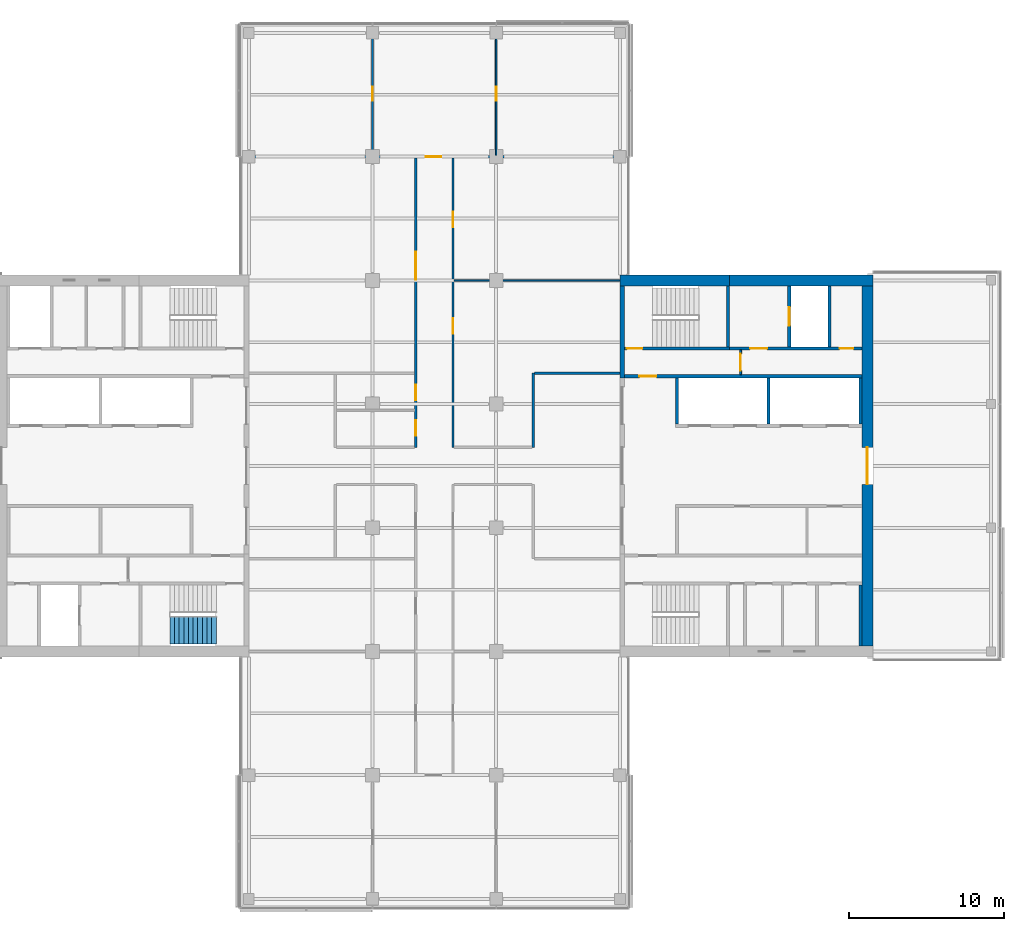
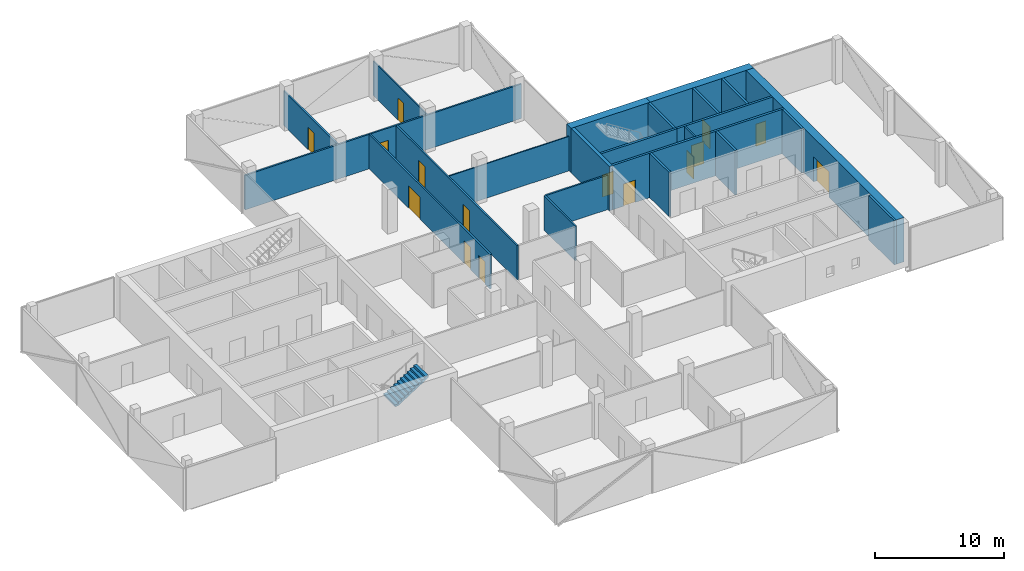
# One storey, part 16 of 22: 23 walls, 15 doors, 1 stair flight, 15 openings, 1 element without a shape of its own.
"""IFC4 building model written with IfcOpenShell, lengths in metres."""

from ifc_helpers import new_model, si_unit, direction, frame, frame_2d, origin, place, context, subcontext, project, spatial, polyline, rectangle, outline, extrude, material, layer, layer_set, constituent, constituent_set, type_object, element, fill, aggregate, save


model = new_model("IFC4")

# Units and contexts
model_context = context("Model", 3, precision=1e-05, world=origin(), true_north=direction((0.0, 1.0)))
body_context = subcontext(model_context, "Body", "Model", "MODEL_VIEW")
ifc_project = project(units=[si_unit("LENGTHUNIT", "METRE"), si_unit("AREAUNIT", "SQUARE_METRE"), si_unit("VOLUMEUNIT", "CUBIC_METRE"), si_unit("PLANEANGLEUNIT", "RADIAN"), si_unit("MASSUNIT", "GRAM", prefix="KILO")], contexts=[model_context])

# Site, building, storey
site_placement = place(None, origin())
site = spatial("IfcSite", under=ifc_project, at=site_placement, CompositionType="ELEMENT")
building_placement = place(site_placement, origin())
building = spatial("IfcBuilding", under=site, at=building_placement, Name="Crosswind Convention Tower", CompositionType="ELEMENT")
storey_placement = place(building_placement, frame((0.0, 0.0, 167.300048828125)))
storey = spatial("IfcBuildingStorey", under=building, at=storey_placement, Name="L35", CompositionType="ELEMENT", Elevation=167.300048828125)

# Wall, opening, door
ifc_material_1 = material(Name="Concrete C60/75", Category="concrete")
ifc_layer_1 = layer(ifc_material_1, 0.699951171875)
ifc_layer_set_1 = layer_set([ifc_layer_1], Name="Concrete C60/75")
wall_type_1 = type_object("IfcWallType", Name="Concrete core wall 700", PredefinedType="SHEAR", material=ifc_layer_set_1)
wall_1_placement = place(storey_placement, frame((153.0, 88.35009765625, 0.0), z_axis=(0.0, 0.0, 1.0), x_axis=(0.0, 1.0, 0.0)))
wall_1 = element("IfcWall", 1, at=wall_1_placement, inside=storey, type_object=wall_type_1, Name="Wall O E L35", PredefinedType="SHEAR", context=body_context, shape_type="SweptSolid", body=[
    extrude(rectangle(XDim=23.2998046875, YDim=0.699951171875, at=frame_2d((11.64990234375, 0.0))), origin(), (0.0, 0.0, 1.0), 4.199951171875),
])
opening_1_placement = place(wall_1_placement, frame((10.449951171875, 0.0, 0.0)))
opening_1 = element("IfcOpeningElement", 2, at=opening_1_placement, cuts=wall_1, Name="Opening D100", PredefinedType="OPENING", context=body_context, shape_type="SweptSolid", body=[
    extrude(rectangle(XDim=2.39990234375, YDim=2.39990234375, at=frame_2d((1.199951171875, 1.199951171875))), frame((0.0, 0.35986328125, 0.0), z_axis=(0.0, -1.0, 0.0), x_axis=(1.0, 0.0, 0.0)), (0.0, 0.0, 1.0), 0.719970703125),
])
ifc_material_2 = material(Name="Steel fire door with glazed vision panels", Category="steel")
door_type_1 = type_object("IfcDoorType", Name="Fire-rated double door 2400x2400", OperationType="DOUBLE_DOOR_SINGLE_SWING", PredefinedType="DOOR", material=ifc_material_2)
door_1_placement = place(opening_1_placement, frame((2.39990234375, 0.0, 0.0), z_axis=(0.0, 0.0, 1.0), x_axis=(-1.0, 0.0, 0.0)))
door_1 = element("IfcDoor", 3, at=door_1_placement, inside=storey, type_object=door_type_1, Name="Lobby outer door L35", ObjectType="D100", OperationType="DOUBLE_DOOR_SINGLE_SWING", OverallHeight=2.39990234375, OverallWidth=2.39990234375, PredefinedType="DOOR", context=body_context, shape_type="SweptSolid", body=[
    extrude(rectangle(XDim=2.39990234375, YDim=2.39990234375, at=frame_2d((1.199951171875, 1.199951171875))), frame((0.0, 0.02490234375, 0.0), z_axis=(0.0, -1.0, 0.0), x_axis=(1.0, 0.0, 0.0)), (0.0, 0.0, 1.0), 0.050048828125),
])
fill(opening_1, door_1)

# Walls
ifc_material_3 = material(Name="Concrete C50/60", Category="concrete")
ifc_layer_2 = layer(ifc_material_3, 0.300048828125)
ifc_layer_set_2 = layer_set([ifc_layer_2], Name="Concrete C50/60")
wall_type_2 = type_object("IfcWallType", Name="Concrete inner core wall 300", PredefinedType="SHEAR", material=ifc_layer_set_2)
wall_2_placement = place(storey_placement, frame((137.14990234375, 105.699951171875, 0.0), z_axis=(0.0, 0.0, 1.0), x_axis=(0.0, 1.0, 0.0)))
element("IfcWall", 4, at=wall_2_placement, inside=storey, type_object=wall_type_2, Name="Wall EP E L35", PredefinedType="SHEAR", context=body_context, shape_type="SweptSolid", body=[
    extrude(rectangle(XDim=5.949951171875, YDim=0.300048828125, at=frame_2d((2.97509765625, 0.0))), origin(), (0.0, 0.0, 1.0), 4.199951171875),
])
ifc_layer_3 = layer(ifc_material_3, 0.199951171875)
ifc_layer_set_3 = layer_set([ifc_layer_3], Name="Concrete C50/60")
wall_type_3 = type_object("IfcWallType", Name="Concrete shaft and stair wall 200", PredefinedType="SHEAR", material=ifc_layer_set_3)
for number, where, z_axis, x_axis, name in (
    (5, (140.699951171875, 102.699951171875, 0.0), (0.0, 0.0, 1.0), (0.0, 1.0, 0.0), "Wall RPEND E L35"),
    (6, (146.60009765625, 102.699951171875, 0.0), (0.0, 0.0, 1.0), (0.0, 1.0, 0.0), "Wall RPSEP E L35"),
    (7, (152.550048828125, 102.699951171875, 0.0), (0.0, 0.0, 1.0), (0.0, 1.0, 0.0), "Wall RPEAST E L35"),
):
    element("IfcWall", number, at=place(storey_placement, frame(where, z_axis=z_axis, x_axis=x_axis)), inside=storey, type_object=wall_type_3, Name=name, PredefinedType="SHEAR", context=body_context, shape_type="SweptSolid", body=[
        extrude(rectangle(XDim=3.0, YDim=0.199951171875, at=frame_2d((1.5, 0.0))), origin(), (0.0, 0.0, 1.0), 4.199951171875),
    ])

# Wall, opening, door
wall_3_placement = place(storey_placement, frame((137.300048828125, 105.800048828125, 0.0), z_axis=(0.0, 0.0, 1.0), x_axis=(1.0, 0.0, 0.0)))
wall_3 = element("IfcWall", 8, at=wall_3_placement, inside=storey, type_object=wall_type_3, Name="Wall HP E L35", PredefinedType="SHEAR", context=body_context, shape_type="SweptSolid", body=[
    extrude(rectangle(XDim=15.349853515625, YDim=0.199951171875, at=frame_2d((7.6748046875, 0.0))), origin(), (0.0, 0.0, 1.0), 4.199951171875),
])
opening_2_placement = place(wall_3_placement, frame((0.949951171875, 0.0, 0.0)))
opening_2 = element("IfcOpeningElement", 9, at=opening_2_placement, cuts=wall_3, Name="Opening D104", PredefinedType="OPENING", context=body_context, shape_type="SweptSolid", body=[
    extrude(rectangle(XDim=1.10009765625, YDim=2.10009765625, at=frame_2d((0.550048828125, 1.050048828125))), frame((0.0, 0.10986328125, 0.0), z_axis=(0.0, -1.0, 0.0), x_axis=(1.0, 0.0, 0.0)), (0.0, 0.0, 1.0), 0.219970703125),
])
ifc_material_4 = material(Name="Steel fire door", Category="steel")
door_type_2 = type_object("IfcDoorType", Name="Fire-rated single door 1100x2100", OperationType="NOTDEFINED", PredefinedType="DOOR", material=ifc_material_4)
door_2_placement = place(opening_2_placement, origin())
door_2 = element("IfcDoor", 10, at=door_2_placement, inside=storey, type_object=door_type_2, Name="Corridor door L35", ObjectType="D104", OperationType="SINGLE_SWING_LEFT", OverallHeight=2.10009765625, OverallWidth=1.10009765625, PredefinedType="DOOR", context=body_context, shape_type="SweptSolid", body=[
    extrude(rectangle(XDim=1.10009765625, YDim=2.10009765625, at=frame_2d((0.550048828125, 1.050048828125))), frame((0.0, 0.02490234375, 0.0), z_axis=(0.0, -1.0, 0.0), x_axis=(1.0, 0.0, 0.0)), (0.0, 0.0, 1.0), 0.050048828125),
])
fill(opening_2, door_2)

# Wall
wall_4_placement = place(storey_placement, frame((144.0, 107.699951171875, 0.0), z_axis=(0.0, 0.0, 1.0), x_axis=(0.0, 1.0, 0.0)))
element("IfcWall", 11, at=wall_4_placement, inside=storey, type_object=wall_type_3, Name="Wall PSE E L35", PredefinedType="SHEAR", context=body_context, shape_type="SweptSolid", body=[
    extrude(rectangle(XDim=3.949951171875, YDim=0.199951171875, at=frame_2d((1.97509765625, 0.0))), origin(), (0.0, 0.0, 1.0), 4.199951171875),
])

# Wall, opening, door
wall_5_placement = place(storey_placement, frame((147.949951171875, 107.699951171875, 0.0), z_axis=(0.0, 0.0, 1.0), x_axis=(0.0, 1.0, 0.0)))
wall_5 = element("IfcWall", 12, at=wall_5_placement, inside=storey, type_object=wall_type_3, Name="Wall PFLW E L35", PredefinedType="SHEAR", context=body_context, shape_type="SweptSolid", body=[
    extrude(rectangle(XDim=3.949951171875, YDim=0.199951171875, at=frame_2d((1.97509765625, 0.0))), origin(), (0.0, 0.0, 1.0), 4.199951171875),
])
opening_3_placement = place(wall_5_placement, frame((1.375, 0.0, 0.0)))
opening_3 = element("IfcOpeningElement", 13, at=opening_3_placement, cuts=wall_5, Name="Opening LD1", PredefinedType="OPENING", context=body_context, shape_type="SweptSolid", body=[
    extrude(rectangle(XDim=1.199951171875, YDim=2.10009765625, at=frame_2d((0.60009765625, 1.050048828125))), frame((0.0, 0.10986328125, 0.0), z_axis=(0.0, -1.0, 0.0), x_axis=(1.0, 0.0, 0.0)), (0.0, 0.0, 1.0), 0.219970703125),
])
ifc_material_5 = material(Name="Stainless steel", Category="steel")
door_type_3 = type_object("IfcDoorType", Name="Lift landing door 1200x2100", OperationType="DOUBLE_DOOR_SLIDING", PredefinedType="DOOR", material=ifc_material_5)
door_3_placement = place(opening_3_placement, origin())
door_3 = element("IfcDoor", 14, at=door_3_placement, inside=storey, type_object=door_type_3, Name="Landing door FF1 L35", ObjectType="LD1", OperationType="DOUBLE_DOOR_SLIDING", OverallHeight=2.10009765625, OverallWidth=1.199951171875, PredefinedType="DOOR", context=body_context, shape_type="SweptSolid", body=[
    extrude(rectangle(XDim=1.199951171875, YDim=2.10009765625, at=frame_2d((0.60009765625, 1.050048828125))), frame((0.0, 0.02490234375, 0.0), z_axis=(0.0, -1.0, 0.0), x_axis=(1.0, 0.0, 0.0)), (0.0, 0.0, 1.0), 0.050048828125),
])
fill(opening_3, door_3)

# Wall
wall_6_placement = place(storey_placement, frame((150.550048828125, 107.699951171875, 0.0), z_axis=(0.0, 0.0, 1.0), x_axis=(0.0, 1.0, 0.0)))
element("IfcWall", 15, at=wall_6_placement, inside=storey, type_object=wall_type_3, Name="Wall PFSE E L35", PredefinedType="SHEAR", context=body_context, shape_type="SweptSolid", body=[
    extrude(rectangle(XDim=3.949951171875, YDim=0.199951171875, at=frame_2d((1.97509765625, 0.0))), origin(), (0.0, 0.0, 1.0), 4.199951171875),
])

# Wall, opening, door
wall_7_placement = place(storey_placement, frame((137.300048828125, 107.60009765625, 0.0), z_axis=(0.0, 0.0, 1.0), x_axis=(1.0, 0.0, 0.0)))
wall_7 = element("IfcWall", 16, at=wall_7_placement, inside=storey, type_object=wall_type_3, Name="Wall PCW E L35", PredefinedType="SHEAR", context=body_context, shape_type="SweptSolid", body=[
    extrude(rectangle(XDim=6.800048828125, YDim=0.199951171875, at=frame_2d((3.39990234375, 0.0))), origin(), (0.0, 0.0, 1.0), 4.199951171875),
])
opening_4_placement = place(wall_7_placement, frame((0.14990234375, 0.0, 0.0)))
opening_4 = element("IfcOpeningElement", 17, at=opening_4_placement, cuts=wall_7, Name="Opening D103", PredefinedType="OPENING", context=body_context, shape_type="SweptSolid", body=[
    extrude(rectangle(XDim=1.0, YDim=2.10009765625, at=frame_2d((0.5, 1.050048828125))), frame((0.0, 0.10986328125, 0.0), z_axis=(0.0, -1.0, 0.0), x_axis=(1.0, 0.0, 0.0)), (0.0, 0.0, 1.0), 0.219970703125),
])
door_type_4 = type_object("IfcDoorType", Name="Fire-rated single door 1000x2100", OperationType="NOTDEFINED", PredefinedType="DOOR", material=ifc_material_4)
door_4_placement = place(opening_4_placement, origin())
door_4 = element("IfcDoor", 18, at=door_4_placement, inside=storey, type_object=door_type_4, Name="Stair ST1 door L35", ObjectType="D103", OperationType="SINGLE_SWING_LEFT", OverallHeight=2.10009765625, OverallWidth=1.0, PredefinedType="DOOR", context=body_context, shape_type="SweptSolid", body=[
    extrude(rectangle(XDim=1.0, YDim=2.10009765625, at=frame_2d((0.5, 1.050048828125))), frame((0.0, 0.02490234375, 0.0), z_axis=(0.0, -1.0, 0.0), x_axis=(1.0, 0.0, 0.0)), (0.0, 0.0, 1.0), 0.050048828125),
])
fill(opening_4, door_4)

# Wall, openings, doors
wall_8_placement = place(storey_placement, frame((144.10009765625, 107.60009765625, 0.0), z_axis=(0.0, 0.0, 1.0), x_axis=(1.0, 0.0, 0.0)))
wall_8 = element("IfcWall", 19, at=wall_8_placement, inside=storey, type_object=wall_type_3, Name="Wall PCX E L35", PredefinedType="SHEAR", context=body_context, shape_type="SweptSolid", body=[
    extrude(rectangle(XDim=8.5498046875, YDim=0.199951171875, at=frame_2d((4.27490234375, 0.0))), origin(), (0.0, 0.0, 1.0), 4.199951171875),
])
opening_5_placement = place(wall_8_placement, frame((1.324951171875, 0.0, 0.0)))
opening_5 = element("IfcOpeningElement", 20, at=opening_5_placement, cuts=wall_8, Name="Opening D104", PredefinedType="OPENING", context=body_context, shape_type="SweptSolid", body=[
    extrude(rectangle(XDim=1.10009765625, YDim=2.10009765625, at=frame_2d((0.550048828125, 1.050048828125))), frame((0.0, 0.10986328125, 0.0), z_axis=(0.0, -1.0, 0.0), x_axis=(1.0, 0.0, 0.0)), (0.0, 0.0, 1.0), 0.219970703125),
])
opening_6_placement = place(wall_8_placement, frame((7.10009765625, 0.0, 0.0)))
opening_6 = element("IfcOpeningElement", 21, at=opening_6_placement, cuts=wall_8, Name="Opening D106", PredefinedType="OPENING", context=body_context, shape_type="SweptSolid", body=[
    extrude(rectangle(XDim=0.89990234375, YDim=2.10009765625, at=frame_2d((0.449951171875, 1.050048828125))), frame((0.0, 0.10986328125, 0.0), z_axis=(0.0, -1.0, 0.0), x_axis=(1.0, 0.0, 0.0)), (0.0, 0.0, 1.0), 0.219970703125),
])
door_5_placement = place(opening_5_placement, origin())
door_5 = element("IfcDoor", 22, at=door_5_placement, inside=storey, type_object=door_type_2, Name="Fire-fighting lobby FF1 door L35", ObjectType="D104", OperationType="SINGLE_SWING_RIGHT", OverallHeight=2.10009765625, OverallWidth=1.10009765625, PredefinedType="DOOR", context=body_context, shape_type="SweptSolid", body=[
    extrude(rectangle(XDim=1.10009765625, YDim=2.10009765625, at=frame_2d((0.550048828125, 1.050048828125))), frame((0.0, 0.02490234375, 0.0), z_axis=(0.0, -1.0, 0.0), x_axis=(1.0, 0.0, 0.0)), (0.0, 0.0, 1.0), 0.050048828125),
])
fill(opening_5, door_5)
ifc_material_6 = material(Name="Timber door", Category="wood")
door_type_5 = type_object("IfcDoorType", Name="Single leaf door 900x2100", OperationType="NOTDEFINED", PredefinedType="DOOR", material=ifc_material_6)
door_6_placement = place(opening_6_placement, origin())
door_6 = element("IfcDoor", 23, at=door_6_placement, inside=storey, type_object=door_type_5, Name="Door to electrical room L35", ObjectType="D106", OperationType="SINGLE_SWING_RIGHT", OverallHeight=2.10009765625, OverallWidth=0.89990234375, PredefinedType="DOOR", context=body_context, shape_type="SweptSolid", body=[
    extrude(rectangle(XDim=0.89990234375, YDim=2.10009765625, at=frame_2d((0.449951171875, 1.050048828125))), frame((0.0, 0.02490234375, 0.0), z_axis=(0.0, -1.0, 0.0), x_axis=(1.0, 0.0, 0.0)), (0.0, 0.0, 1.0), 0.050048828125),
])
fill(opening_6, door_6)

# Wall
wall_9_placement = place(storey_placement, frame((152.550048828125, 88.35009765625, 0.0), z_axis=(0.0, 0.0, 1.0), x_axis=(0.0, 1.0, 0.0)))
element("IfcWall", 24, at=wall_9_placement, inside=storey, type_object=wall_type_3, Name="Wall MFSE E L35", PredefinedType="SHEAR", context=body_context, shape_type="SweptSolid", body=[
    extrude(rectangle(XDim=3.949951171875, YDim=0.199951171875, at=frame_2d((1.97509765625, 0.0))), origin(), (0.0, 0.0, 1.0), 4.199951171875),
])

# Wall, opening, door
ifc_material_7 = material(Name="Gypsum plasterboard partition", Category="gypsum")
ifc_layer_4 = layer(ifc_material_7, 0.125)
ifc_layer_set_4 = layer_set([ifc_layer_4], Name="Drywall partition wall 125")
wall_type_4 = type_object("IfcWallType", Name="Drywall partition wall 125", PredefinedType="PARTITIONING", material=ifc_layer_set_4)
wall_10_placement = place(storey_placement, frame((144.800048828125, 105.89990234375, 0.0), z_axis=(0.0, 0.0, 1.0), x_axis=(0.0, 1.0, 0.0)))
wall_10 = element("IfcWall", 25, at=wall_10_placement, inside=storey, type_object=wall_type_4, Name="Wall PXC1 E L35", PredefinedType="PARTITIONING", context=body_context, shape_type="SweptSolid", body=[
    extrude(rectangle(XDim=1.60009765625, YDim=0.125, at=frame_2d((0.800048828125, 0.0))), origin(), (0.0, 0.0, 1.0), 4.199951171875),
])
opening_7_placement = place(wall_10_placement, frame((0.25, 0.0, 0.0)))
opening_7 = element("IfcOpeningElement", 26, at=opening_7_placement, cuts=wall_10, Name="Opening D104", PredefinedType="OPENING", context=body_context, shape_type="SweptSolid", body=[
    extrude(rectangle(XDim=1.10009765625, YDim=2.10009765625, at=frame_2d((0.550048828125, 1.050048828125))), frame((0.0, 0.072509765625, 0.0), z_axis=(0.0, -1.0, 0.0), x_axis=(1.0, 0.0, 0.0)), (0.0, 0.0, 1.0), 0.14501953125),
])
door_7_placement = place(opening_7_placement, origin())
door_7 = element("IfcDoor", 27, at=door_7_placement, inside=storey, type_object=door_type_2, Name="Corridor smoke door L35", ObjectType="D104", OperationType="SINGLE_SWING_RIGHT", OverallHeight=2.10009765625, OverallWidth=1.10009765625, PredefinedType="DOOR", context=body_context, shape_type="SweptSolid", body=[
    extrude(rectangle(XDim=1.10009765625, YDim=2.10009765625, at=frame_2d((0.550048828125, 1.050048828125))), frame((0.0, 0.02490234375, 0.0), z_axis=(0.0, -1.0, 0.0), x_axis=(1.0, 0.0, 0.0)), (0.0, 0.0, 1.0), 0.050048828125),
])
fill(opening_7, door_7)

ifc_material_8 = material(Name="Plasterboard partition", Category="gypsum")
ifc_layer_5 = layer(ifc_material_8, 0.10009765625)
ifc_layer_set_5 = layer_set([ifc_layer_5], Name="PARTITION 100 METAL STUD")
wall_type_5 = type_object("IfcWallType", Name="PARTITION 100 METAL STUD", PredefinedType="PARTITIONING", material=ifc_layer_set_5)
wall_11_placement = place(storey_placement, frame((129.0, 120.074951171875, 0.0), z_axis=(0.0, 0.0, 1.0), x_axis=(0.0, 1.0, 0.0)))
wall_11 = element("IfcWall", 28, at=wall_11_placement, inside=storey, type_object=wall_type_5, Name="Partition wall WT40", PredefinedType="PARTITIONING", context=body_context, shape_type="SweptSolid", body=[
    extrude(rectangle(XDim=8.295166015625, YDim=0.10009765625, at=frame_2d((4.1474609375, 0.0))), origin(), (0.0, 0.0, 1.0), 3.260498046875),
])
opening_8_placement = place(wall_11_placement, frame((3.550048828125, 0.0, 0.0)))
opening_8 = element("IfcOpeningElement", 29, at=opening_8_placement, cuts=wall_11, Name="Opening L35-62", PredefinedType="OPENING", context=body_context, shape_type="SweptSolid", body=[
    extrude(rectangle(XDim=0.89990234375, YDim=2.10009765625, at=frame_2d((0.449951171875, 1.050048828125))), frame((0.0, 0.06005859375, 0.0), z_axis=(0.0, -1.0, 0.0), x_axis=(1.0, 0.0, 0.0)), (0.0, 0.0, 1.0), 0.1201171875),
])
door_type_6 = type_object("IfcDoorType", Name="INTERNAL DOOR 900X2100", OperationType="NOTDEFINED", PredefinedType="DOOR", material=ifc_material_6)
door_8_placement = place(opening_8_placement, origin())
door_8 = element("IfcDoor", 30, at=door_8_placement, inside=storey, type_object=door_type_6, Name="Door L35-62", ObjectType="D40", OperationType="SINGLE_SWING_RIGHT", OverallHeight=2.10009765625, OverallWidth=0.89990234375, PredefinedType="DOOR", context=body_context, shape_type="SweptSolid", body=[
    extrude(rectangle(XDim=0.89990234375, YDim=2.10009765625, at=frame_2d((0.449951171875, 1.050048828125))), frame((0.0, 0.02490234375, 0.0), z_axis=(0.0, -1.0, 0.0), x_axis=(1.0, 0.0, 0.0)), (0.0, 0.0, 1.0), 0.050048828125),
])
fill(opening_8, door_8)

# Wall
wall_12_placement = place(storey_placement, frame((126.27490234375, 112.0, 0.0), z_axis=(0.0, 0.0, 1.0), x_axis=(1.0, 0.0, 0.0)))
element("IfcWall", 31, at=wall_12_placement, inside=storey, type_object=wall_type_5, Name="Partition wall WT40", PredefinedType="PARTITIONING", context=body_context, shape_type="SweptSolid", body=[
    extrude(rectangle(XDim=10.72509765625, YDim=0.10009765625, at=frame_2d((5.362548828125, 0.0))), origin(), (0.0, 0.0, 1.0), 3.260498046875),
])

# Wall, opening, door
ifc_material_9 = material(Name="Fire-board partition with mineral wool", Category="gypsum")
ifc_layer_6 = layer(ifc_material_9, 0.14990234375)
ifc_layer_set_6 = layer_set([ifc_layer_6], Name="TENANCY WALL 150 TWO-HOUR BOARD")
wall_type_6 = type_object("IfcWallType", Name="TENANCY WALL 150 TWO-HOUR BOARD", PredefinedType="PARTITIONING", material=ifc_layer_set_6)
wall_13_placement = place(storey_placement, frame((121.0, 120.074951171875, 0.0), z_axis=(0.0, 0.0, 1.0), x_axis=(0.0, 1.0, 0.0)))
wall_13 = element("IfcWall", 32, at=wall_13_placement, inside=storey, type_object=wall_type_6, Name="Tenancy wall WT41", PredefinedType="PARTITIONING", context=body_context, shape_type="SweptSolid", body=[
    extrude(rectangle(XDim=8.295166015625, YDim=0.14990234375, at=frame_2d((4.1474609375, 0.0))), origin(), (0.0, 0.0, 1.0), 3.260498046875),
])
opening_9_placement = place(wall_13_placement, frame((3.550048828125, 0.0, 0.0)))
opening_9 = element("IfcOpeningElement", 33, at=opening_9_placement, cuts=wall_13, Name="Opening L35-61", PredefinedType="OPENING", context=body_context, shape_type="SweptSolid", body=[
    extrude(rectangle(XDim=0.89990234375, YDim=2.10009765625, at=frame_2d((0.449951171875, 1.050048828125))), frame((0.0, 0.0849609375, 0.0), z_axis=(0.0, -1.0, 0.0), x_axis=(1.0, 0.0, 0.0)), (0.0, 0.0, 1.0), 0.169921875),
])
door_9_placement = place(opening_9_placement, frame((0.89990234375, 0.0, 0.0), z_axis=(0.0, 0.0, 1.0), x_axis=(-1.0, 0.0, 0.0)))
door_9 = element("IfcDoor", 34, at=door_9_placement, inside=storey, type_object=door_type_6, Name="Door L35-61", ObjectType="D40", OperationType="SINGLE_SWING_LEFT", OverallHeight=2.10009765625, OverallWidth=0.89990234375, PredefinedType="DOOR", context=body_context, shape_type="SweptSolid", body=[
    extrude(rectangle(XDim=0.89990234375, YDim=2.10009765625, at=frame_2d((0.449951171875, 1.050048828125))), frame((0.0, 0.02490234375, 0.0), z_axis=(0.0, -1.0, 0.0), x_axis=(1.0, 0.0, 0.0)), (0.0, 0.0, 1.0), 0.050048828125),
])
fill(opening_9, door_9)

# Wall, openings, doors
wall_14_placement = place(storey_placement, frame((123.800048828125, 101.199951171875, 0.0), z_axis=(0.0, 0.0, 1.0), x_axis=(0.0, 1.0, 0.0)))
wall_14 = element("IfcWall", 35, at=wall_14_placement, inside=storey, type_object=wall_type_6, Name="Tenancy wall WT41", PredefinedType="PARTITIONING", context=body_context, shape_type="SweptSolid", body=[
    extrude(rectangle(XDim=18.72509765625, YDim=0.14990234375, at=frame_2d((9.362548828125, 0.0))), origin(), (0.0, 0.0, 1.0), 3.260498046875),
])
opening_10_placement = place(wall_14_placement, frame((0.75, 0.0, 0.0)))
opening_10 = element("IfcOpeningElement", 36, at=opening_10_placement, cuts=wall_14, Name="Opening L35-54", PredefinedType="OPENING", context=body_context, shape_type="SweptSolid", body=[
    extrude(rectangle(XDim=1.0, YDim=2.10009765625, at=frame_2d((0.5, 1.050048828125))), frame((0.0, 0.0849609375, 0.0), z_axis=(0.0, -1.0, 0.0), x_axis=(1.0, 0.0, 0.0)), (0.0, 0.0, 1.0), 0.169921875),
])
opening_11_placement = place(wall_14_placement, frame((3.050048828125, 0.0, 0.0)))
opening_11 = element("IfcOpeningElement", 37, at=opening_11_placement, cuts=wall_14, Name="Opening L35-55", PredefinedType="OPENING", context=body_context, shape_type="SweptSolid", body=[
    extrude(rectangle(XDim=1.0, YDim=2.10009765625, at=frame_2d((0.5, 1.050048828125))), frame((0.0, 0.0849609375, 0.0), z_axis=(0.0, -1.0, 0.0), x_axis=(1.0, 0.0, 0.0)), (0.0, 0.0, 1.0), 0.169921875),
])
opening_12_placement = place(wall_14_placement, frame((10.85009765625, 0.0, 0.0)))
opening_12 = element("IfcOpeningElement", 38, at=opening_12_placement, cuts=wall_14, Name="Opening L35-56", PredefinedType="OPENING", context=body_context, shape_type="SweptSolid", body=[
    extrude(rectangle(XDim=1.800048828125, YDim=2.10009765625, at=frame_2d((0.89990234375, 1.050048828125))), frame((0.0, 0.0849609375, 0.0), z_axis=(0.0, -1.0, 0.0), x_axis=(1.0, 0.0, 0.0)), (0.0, 0.0, 1.0), 0.169921875),
])
ifc_material_10 = material(Name="Timber fire door", Category="wood")
door_type_7 = type_object("IfcDoorType", Name="TENANCY ENTRANCE DOOR 1000X2100 FD30S", OperationType="NOTDEFINED", PredefinedType="DOOR", material=ifc_material_10)
door_10_placement = place(opening_10_placement, origin())
door_10 = element("IfcDoor", 39, at=door_10_placement, inside=storey, type_object=door_type_7, Name="Door L35-54", ObjectType="D41", OperationType="SINGLE_SWING_RIGHT", OverallHeight=2.10009765625, OverallWidth=1.0, PredefinedType="DOOR", context=body_context, shape_type="SweptSolid", body=[
    extrude(rectangle(XDim=1.0, YDim=2.10009765625, at=frame_2d((0.5, 1.050048828125))), frame((0.0, 0.02490234375, 0.0), z_axis=(0.0, -1.0, 0.0), x_axis=(1.0, 0.0, 0.0)), (0.0, 0.0, 1.0), 0.050048828125),
])
fill(opening_10, door_10)
door_11_placement = place(opening_11_placement, origin())
door_11 = element("IfcDoor", 40, at=door_11_placement, inside=storey, type_object=door_type_7, Name="Door L35-55", ObjectType="D41", OperationType="SINGLE_SWING_LEFT", OverallHeight=2.10009765625, OverallWidth=1.0, PredefinedType="DOOR", context=body_context, shape_type="SweptSolid", body=[
    extrude(rectangle(XDim=1.0, YDim=2.10009765625, at=frame_2d((0.5, 1.050048828125))), frame((0.0, 0.02490234375, 0.0), z_axis=(0.0, -1.0, 0.0), x_axis=(1.0, 0.0, 0.0)), (0.0, 0.0, 1.0), 0.050048828125),
])
fill(opening_11, door_11)
door_type_8 = type_object("IfcDoorType", Name="TENANCY ENTRANCE DOUBLE DOOR 1800X2100 FD30S", OperationType="DOUBLE_DOOR_SINGLE_SWING", PredefinedType="DOOR", material=ifc_material_10)
door_12_placement = place(opening_12_placement, origin())
door_12 = element("IfcDoor", 41, at=door_12_placement, inside=storey, type_object=door_type_8, Name="Door L35-56", ObjectType="D42", OperationType="DOUBLE_DOOR_SINGLE_SWING", OverallHeight=2.10009765625, OverallWidth=1.800048828125, PredefinedType="DOOR", context=body_context, shape_type="SweptSolid", body=[
    extrude(rectangle(XDim=1.800048828125, YDim=2.10009765625, at=frame_2d((0.89990234375, 1.050048828125))), frame((0.0, 0.02490234375, 0.0), z_axis=(0.0, -1.0, 0.0), x_axis=(1.0, 0.0, 0.0)), (0.0, 0.0, 1.0), 0.050048828125),
])
fill(opening_12, door_12)

wall_15_placement = place(storey_placement, frame((126.199951171875, 101.199951171875, 0.0), z_axis=(0.0, 0.0, 1.0), x_axis=(0.0, 1.0, 0.0)))
wall_15 = element("IfcWall", 42, at=wall_15_placement, inside=storey, type_object=wall_type_6, Name="Tenancy wall WT41", PredefinedType="PARTITIONING", context=body_context, shape_type="SweptSolid", body=[
    extrude(rectangle(XDim=18.72509765625, YDim=0.14990234375, at=frame_2d((9.362548828125, 0.0))), origin(), (0.0, 0.0, 1.0), 3.260498046875),
])
opening_13_placement = place(wall_15_placement, frame((7.35009765625, 0.0, 0.0)))
opening_13 = element("IfcOpeningElement", 43, at=opening_13_placement, cuts=wall_15, Name="Opening L35-50", PredefinedType="OPENING", context=body_context, shape_type="SweptSolid", body=[
    extrude(rectangle(XDim=1.0, YDim=2.10009765625, at=frame_2d((0.5, 1.050048828125))), frame((0.0, 0.0849609375, 0.0), z_axis=(0.0, -1.0, 0.0), x_axis=(1.0, 0.0, 0.0)), (0.0, 0.0, 1.0), 0.169921875),
])
opening_14_placement = place(wall_15_placement, frame((14.25, 0.0, 0.0)))
opening_14 = element("IfcOpeningElement", 44, at=opening_14_placement, cuts=wall_15, Name="Opening L35-51", PredefinedType="OPENING", context=body_context, shape_type="SweptSolid", body=[
    extrude(rectangle(XDim=1.0, YDim=2.10009765625, at=frame_2d((0.5, 1.050048828125))), frame((0.0, 0.0849609375, 0.0), z_axis=(0.0, -1.0, 0.0), x_axis=(1.0, 0.0, 0.0)), (0.0, 0.0, 1.0), 0.169921875),
])
door_13_placement = place(opening_13_placement, frame((1.0, 0.0, 0.0), z_axis=(0.0, 0.0, 1.0), x_axis=(-1.0, 0.0, 0.0)))
door_13 = element("IfcDoor", 45, at=door_13_placement, inside=storey, type_object=door_type_7, Name="Door L35-50", ObjectType="D41", OperationType="SINGLE_SWING_LEFT", OverallHeight=2.10009765625, OverallWidth=1.0, PredefinedType="DOOR", context=body_context, shape_type="SweptSolid", body=[
    extrude(rectangle(XDim=1.0, YDim=2.10009765625, at=frame_2d((0.5, 1.050048828125))), frame((0.0, 0.02490234375, 0.0), z_axis=(0.0, -1.0, 0.0), x_axis=(1.0, 0.0, 0.0)), (0.0, 0.0, 1.0), 0.050048828125),
])
fill(opening_13, door_13)
door_14_placement = place(opening_14_placement, frame((1.0, 0.0, 0.0), z_axis=(0.0, 0.0, 1.0), x_axis=(-1.0, 0.0, 0.0)))
door_14 = element("IfcDoor", 46, at=door_14_placement, inside=storey, type_object=door_type_7, Name="Door L35-51", ObjectType="D41", OperationType="SINGLE_SWING_RIGHT", OverallHeight=2.10009765625, OverallWidth=1.0, PredefinedType="DOOR", context=body_context, shape_type="SweptSolid", body=[
    extrude(rectangle(XDim=1.0, YDim=2.10009765625, at=frame_2d((0.5, 1.050048828125))), frame((0.0, 0.02490234375, 0.0), z_axis=(0.0, -1.0, 0.0), x_axis=(1.0, 0.0, 0.0)), (0.0, 0.0, 1.0), 0.050048828125),
])
fill(opening_14, door_14)

# Walls
wall_16_placement = place(storey_placement, frame((131.39990234375, 101.199951171875, 0.0), z_axis=(0.0, 0.0, 1.0), x_axis=(0.0, 1.0, 0.0)))
element("IfcWall", 47, at=wall_16_placement, inside=storey, type_object=wall_type_6, Name="Tenancy wall WT41", PredefinedType="PARTITIONING", context=body_context, shape_type="SweptSolid", body=[
    extrude(rectangle(XDim=4.800048828125, YDim=0.14990234375, at=frame_2d((2.39990234375, 0.0))), origin(), (0.0, 0.0, 1.0), 3.260498046875),
])
wall_17_placement = place(storey_placement, frame((131.47509765625, 106.0, 0.0), z_axis=(0.0, 0.0, 1.0), x_axis=(1.0, 0.0, 0.0)))
element("IfcWall", 48, at=wall_17_placement, inside=storey, type_object=wall_type_6, Name="Tenancy wall WT41", PredefinedType="PARTITIONING", context=body_context, shape_type="SweptSolid", body=[
    extrude(rectangle(XDim=5.52490234375, YDim=0.14990234375, at=frame_2d((2.762451171875, 0.0))), origin(), (0.0, 0.0, 1.0), 3.260498046875),
])

# Wall, opening, door
wall_18_placement = place(storey_placement, frame((112.6298828125, 120.0, 0.0), z_axis=(0.0, 0.0, 1.0), x_axis=(1.0, 0.0, 0.0)))
wall_18 = element("IfcWall", 49, at=wall_18_placement, inside=storey, type_object=wall_type_6, Name="Tenancy wall WT41", PredefinedType="PARTITIONING", context=body_context, shape_type="SweptSolid", body=[
    extrude(rectangle(XDim=24.740234375, YDim=0.14990234375, at=frame_2d((12.3701171875, 0.0))), origin(), (0.0, 0.0, 1.0), 3.260498046875),
])
opening_15_placement = place(wall_18_placement, frame((11.820068359375, 0.0, 0.0)))
opening_15 = element("IfcOpeningElement", 50, at=opening_15_placement, cuts=wall_18, Name="Opening L35-60", PredefinedType="OPENING", context=body_context, shape_type="SweptSolid", body=[
    extrude(rectangle(XDim=1.0, YDim=2.10009765625, at=frame_2d((0.5, 1.050048828125))), frame((0.0, 0.0849609375, 0.0), z_axis=(0.0, -1.0, 0.0), x_axis=(1.0, 0.0, 0.0)), (0.0, 0.0, 1.0), 0.169921875),
])
door_15_placement = place(opening_15_placement, origin())
door_15 = element("IfcDoor", 51, at=door_15_placement, inside=storey, type_object=door_type_7, Name="Door L35-60", ObjectType="D41", OperationType="SINGLE_SWING_LEFT", OverallHeight=2.10009765625, OverallWidth=1.0, PredefinedType="DOOR", context=body_context, shape_type="SweptSolid", body=[
    extrude(rectangle(XDim=1.0, YDim=2.10009765625, at=frame_2d((0.5, 1.050048828125))), frame((0.0, 0.02490234375, 0.0), z_axis=(0.0, -1.0, 0.0), x_axis=(1.0, 0.0, 0.0)), (0.0, 0.0, 1.0), 0.050048828125),
])
fill(opening_15, door_15)

# Walls
ifc_constituent_1 = constituent(ifc_material_1, Name="Structure")
ifc_material_11 = material(Name="Terracotta rainscreen", Category="ceramic")
ifc_constituent_2 = constituent(ifc_material_11, Name="Facing")
ifc_constituent_set = constituent_set(constituents=[ifc_constituent_1, ifc_constituent_2], Name="Concrete C60/75, Terracotta rainscreen")
wall_type_7 = type_object("IfcWallType", Name="Terracotta rainscreen on concrete core wall 700", PredefinedType="SHEAR", material=ifc_constituent_set)
wall_19_placement = place(storey_placement, frame((137.0, 112.0, 0.0), z_axis=(0.0, 0.0, 1.0), x_axis=(1.0, 0.0, 0.0)))
element("IfcWall", 52, at=wall_19_placement, inside=storey, type_object=wall_type_7, Name="Wall N1 E L35", PredefinedType="SHEAR", context=body_context, shape_type="SweptSolid", body=[
    extrude(rectangle(XDim=7.10009765625, YDim=0.699951171875, at=frame_2d((3.550048828125, 0.0))), origin(), (0.0, 0.0, 1.0), 4.199951171875),
])
wall_20_placement = place(storey_placement, frame((144.10009765625, 112.0, 0.0), z_axis=(0.0, 0.0, 1.0), x_axis=(1.0, 0.0, 0.0)))
element("IfcWall", 53, at=wall_20_placement, inside=storey, type_object=wall_type_7, Name="Wall N2 E L35", PredefinedType="SHEAR", context=body_context, shape_type="SweptSolid", body=[
    extrude(rectangle(XDim=9.25, YDim=0.699951171875, at=frame_2d((4.625, 0.0))), origin(), (0.0, 0.0, 1.0), 4.199951171875),
])

# Stair, stair flight
ifc_material_12 = material(Name="Concrete C40/50", Category="concrete")
stair_type = type_object("IfcStairType", Name="Exit stair 1800 wide, 2 flights of 11 risers", PredefinedType="HALF_TURN_STAIR", material=ifc_material_12)
stair_placement = place(storey_placement, origin())
stair = element("IfcStair", 54, at=stair_placement, inside=storey, type_object=stair_type, Name="Exit stair ST3 L35", ObjectType="ST5", PredefinedType="HALF_TURN_STAIR")
stair_flight_type = type_object("IfcStairFlightType", Name="Stair flight 1800 wide, 11 risers (SF4)", PredefinedType="STRAIGHT", material=ifc_material_12)
stair_flight_placement = place(storey_placement, frame((107.89990234375, 89.39990234375, 2.099853515625), z_axis=(0.0, 0.0, 1.0), x_axis=(1.0, 0.0, 0.0)))
stair_flight = element("IfcStairFlight", 55, at=stair_flight_placement, type_object=stair_flight_type, Name="ST3 flight 2", NumberOfRisers=11, NumberOfTreads=10, PredefinedType="STRAIGHT", RiserHeight=0.190909091, TreadLength=0.3, context=body_context, shape_type="SweptSolid", body=[
    extrude(outline(polyline([(0.0, 0.0), (0.0, 0.19091796875), (0.300048828125, 0.19091796875), (0.300048828125, 0.3818359375), (0.60009765625, 0.3818359375), (0.60009765625, 0.57275390625), (0.89990234375, 0.57275390625), (0.89990234375, 0.763671875), (1.199951171875, 0.763671875), (1.199951171875, 0.95458984375), (1.5, 0.95458984375), (1.5, 1.1455078125), (1.800048828125, 1.1455078125), (1.800048828125, 1.33642578125), (2.10009765625, 1.33642578125), (2.10009765625, 1.52734375), (2.39990234375, 1.52734375), (2.39990234375, 1.71826171875), (2.699951171875, 1.71826171875), (2.699951171875, 1.9091796875), (3.0, 1.9091796875), (3.0, 2.10009765625), (3.0, 1.7314453125), (0.279296875, 0.0), (0.0, 0.0)])), frame((0.0, 0.89990234375, 0.0), z_axis=(0.0, -1.0, 0.0), x_axis=(1.0, 0.0, 0.0)), (0.0, 0.0, 1.0), 1.800048828125),
])
aggregate(stair, [stair_flight])

save(model, "model.ifc")
